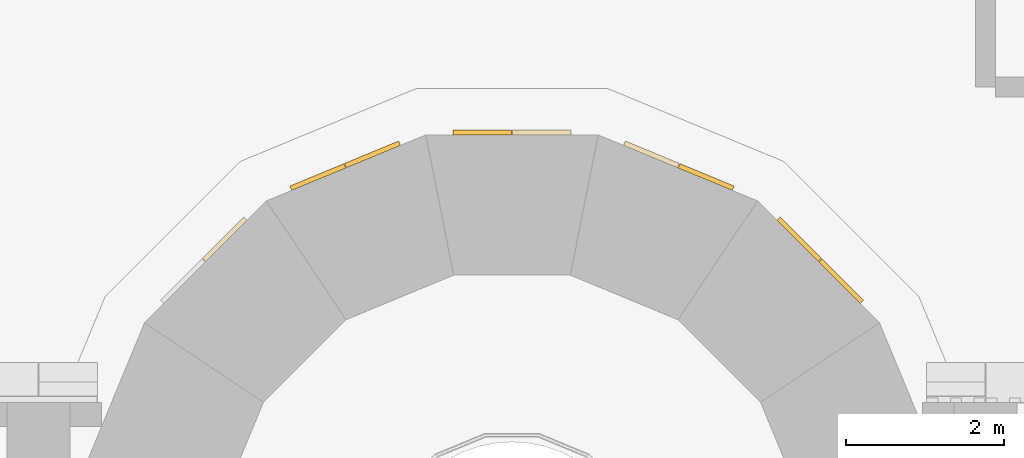
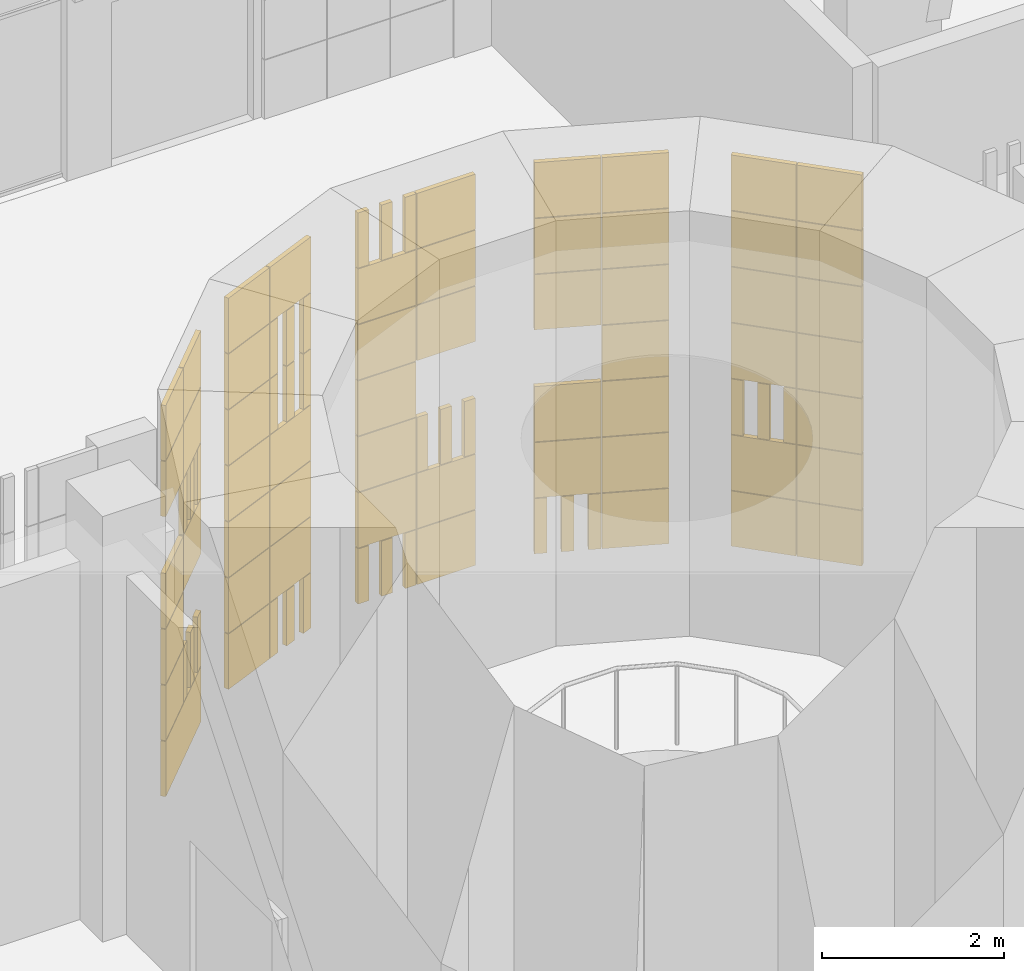
# One storey, part 76 of 125: 5 coverings.
"""IFC4 building model written with IfcOpenShell, lengths in metres."""

from ifc_helpers import new_model, si_unit, direction, frame, origin, origin_2d, place, context, subcontext, project, spatial, rectangle, extrude, material, layer, layer_set, type_object, element, save


model = new_model("IFC4")

# Units and contexts
model_context = context("Model", 3, precision=1e-05, world=origin(), true_north=direction((0.0, 1.0)))
body_context = subcontext(model_context, "Body", "Model", "MODEL_VIEW")
ifc_project = project(units=[si_unit("LENGTHUNIT", "METRE"), si_unit("AREAUNIT", "SQUARE_METRE"), si_unit("VOLUMEUNIT", "CUBIC_METRE"), si_unit("PLANEANGLEUNIT", "RADIAN"), si_unit("MASSUNIT", "GRAM", prefix="KILO")], contexts=[model_context])

# Site, building, storey
site_placement = place(None, origin())
site = spatial("IfcSite", under=ifc_project, at=site_placement, CompositionType="ELEMENT")
building_placement = place(site_placement, origin())
building = spatial("IfcBuilding", under=site, at=building_placement, Name="Sun Court Science Centre", CompositionType="ELEMENT")
storey_placement = place(building_placement, origin())
storey = spatial("IfcBuildingStorey", under=building, at=storey_placement, Name="L00", CompositionType="ELEMENT", Elevation=0.0)

# Coverings
ifc_material_1 = material(Name="Terracotta jali", Category="masonry")
ifc_layer_1 = layer(ifc_material_1, 0.06005859375)
ifc_layer_set_1 = layer_set([ifc_layer_1], Name="Terracotta jali")
covering_type_1 = type_object("IfcCoveringType", Name="Terracotta open jali panel", PredefinedType="CLADDING", material=ifc_layer_set_1)
covering_1_placement = place(storey_placement, origin())
element("IfcCovering", 1, at=covering_1_placement, inside=storey, type_object=covering_type_1, Name="Open jali pixel cladding cone 2 L00", PredefinedType="CLADDING", context=body_context, shape_type="SweptSolid", body=[
    extrude(rectangle(XDim=0.139892578125, YDim=0.06005859375, at=origin_2d()), frame((21.427734375, 30.2822265625, 1.5048828125), z_axis=(0.0, 0.0, 1.0), x_axis=(0.707106781187, -0.707106781187, 0.0)), (0.0, 0.0, 1.0), 0.739990234375),
    extrude(rectangle(XDim=0.139892578125, YDim=0.06005859375, at=origin_2d()), frame((21.6396484375, 30.070068359375, 1.5048828125), z_axis=(0.0, 0.0, 1.0), x_axis=(0.707106781187, -0.707106781187, 0.0)), (0.0, 0.0, 1.0), 0.739990234375),
    extrude(rectangle(XDim=0.139892578125, YDim=0.06005859375, at=origin_2d()), frame((21.851806640625, 29.85791015625, 1.5048828125), z_axis=(0.0, 0.0, 1.0), x_axis=(0.707106781187, -0.707106781187, 0.0)), (0.0, 0.0, 1.0), 0.739990234375),
    extrude(rectangle(XDim=0.139892578125, YDim=0.06005859375, at=origin_2d()), frame((19.48974609375, 31.26025390625, 0.0048828125), z_axis=(0.0, 0.0, 1.0), x_axis=(0.923879532511, -0.382683432365, 0.0)), (0.0, 0.0, 1.0), 0.739990234375),
    extrude(rectangle(XDim=0.139892578125, YDim=0.06005859375, at=origin_2d()), frame((19.766845703125, 31.1455078125, 0.0048828125), z_axis=(0.0, 0.0, 1.0), x_axis=(0.923879532511, -0.382683432365, 0.0)), (0.0, 0.0, 1.0), 0.739990234375),
    extrude(rectangle(XDim=0.139892578125, YDim=0.06005859375, at=origin_2d()), frame((20.0439453125, 31.03076171875, 0.0048828125), z_axis=(0.0, 0.0, 1.0), x_axis=(0.923879532511, -0.382683432365, 0.0)), (0.0, 0.0, 1.0), 0.739990234375),
    extrude(rectangle(XDim=0.139892578125, YDim=0.06005859375, at=origin_2d()), frame((17.324951171875, 31.42236328125, 0.0048828125), z_axis=(0.0, 0.0, 1.0), x_axis=(1.0, 0.0, 0.0)), (0.0, 0.0, 1.0), 0.739990234375),
    extrude(rectangle(XDim=0.139892578125, YDim=0.06005859375, at=origin_2d()), frame((17.625, 31.42236328125, 0.0048828125), z_axis=(0.0, 0.0, 1.0), x_axis=(1.0, 0.0, 0.0)), (0.0, 0.0, 1.0), 0.739990234375),
    extrude(rectangle(XDim=0.139892578125, YDim=0.06005859375, at=origin_2d()), frame((17.925048828125, 31.42236328125, 0.0048828125), z_axis=(0.0, 0.0, 1.0), x_axis=(1.0, 0.0, 0.0)), (0.0, 0.0, 1.0), 0.739990234375),
    extrude(rectangle(XDim=0.139892578125, YDim=0.06005859375, at=origin_2d()), frame((18.074951171875, 31.42236328125, 1.5048828125), z_axis=(0.0, 0.0, 1.0), x_axis=(1.0, 0.0, 0.0)), (0.0, 0.0, 1.0), 0.739990234375),
    extrude(rectangle(XDim=0.139892578125, YDim=0.06005859375, at=origin_2d()), frame((18.375, 31.42236328125, 1.5048828125), z_axis=(0.0, 0.0, 1.0), x_axis=(1.0, 0.0, 0.0)), (0.0, 0.0, 1.0), 0.739990234375),
    extrude(rectangle(XDim=0.139892578125, YDim=0.06005859375, at=origin_2d()), frame((18.675048828125, 31.42236328125, 1.5048828125), z_axis=(0.0, 0.0, 1.0), x_axis=(1.0, 0.0, 0.0)), (0.0, 0.0, 1.0), 0.739990234375),
    extrude(rectangle(XDim=0.139892578125, YDim=0.06005859375, at=origin_2d()), frame((17.324951171875, 31.42236328125, 4.5048828125), z_axis=(0.0, 0.0, 1.0), x_axis=(1.0, 0.0, 0.0)), (0.0, 0.0, 1.0), 0.739990234375),
    extrude(rectangle(XDim=0.139892578125, YDim=0.06005859375, at=origin_2d()), frame((17.625, 31.42236328125, 4.5048828125), z_axis=(0.0, 0.0, 1.0), x_axis=(1.0, 0.0, 0.0)), (0.0, 0.0, 1.0), 0.739990234375),
    extrude(rectangle(XDim=0.139892578125, YDim=0.06005859375, at=origin_2d()), frame((17.925048828125, 31.42236328125, 4.5048828125), z_axis=(0.0, 0.0, 1.0), x_axis=(1.0, 0.0, 0.0)), (0.0, 0.0, 1.0), 0.739990234375),
    extrude(rectangle(XDim=0.139892578125, YDim=0.06005859375, at=origin_2d()), frame((15.9560546875, 31.03076171875, 0.0048828125), z_axis=(0.0, 0.0, 1.0), x_axis=(0.923879532511, 0.382683432365, 0.0)), (0.0, 0.0, 1.0), 0.739990234375),
    extrude(rectangle(XDim=0.139892578125, YDim=0.06005859375, at=origin_2d()), frame((16.233154296875, 31.1455078125, 0.0048828125), z_axis=(0.0, 0.0, 1.0), x_axis=(0.923879532511, 0.382683432365, 0.0)), (0.0, 0.0, 1.0), 0.739990234375),
    extrude(rectangle(XDim=0.139892578125, YDim=0.06005859375, at=origin_2d()), frame((16.51025390625, 31.26025390625, 0.0048828125), z_axis=(0.0, 0.0, 1.0), x_axis=(0.923879532511, 0.382683432365, 0.0)), (0.0, 0.0, 1.0), 0.739990234375),
    extrude(rectangle(XDim=0.139892578125, YDim=0.06005859375, at=origin_2d()), frame((15.9560546875, 31.03076171875, 3.0048828125), z_axis=(0.0, 0.0, 1.0), x_axis=(0.923879532511, 0.382683432365, 0.0)), (0.0, 0.0, 1.0), 0.739990234375),
    extrude(rectangle(XDim=0.139892578125, YDim=0.06005859375, at=origin_2d()), frame((16.233154296875, 31.1455078125, 3.0048828125), z_axis=(0.0, 0.0, 1.0), x_axis=(0.923879532511, 0.382683432365, 0.0)), (0.0, 0.0, 1.0), 0.739990234375),
    extrude(rectangle(XDim=0.139892578125, YDim=0.06005859375, at=origin_2d()), frame((16.51025390625, 31.26025390625, 3.0048828125), z_axis=(0.0, 0.0, 1.0), x_axis=(0.923879532511, 0.382683432365, 0.0)), (0.0, 0.0, 1.0), 0.739990234375),
    extrude(rectangle(XDim=0.139892578125, YDim=0.06005859375, at=origin_2d()), frame((15.9560546875, 31.03076171875, 3.7548828125), z_axis=(0.0, 0.0, 1.0), x_axis=(0.923879532511, 0.382683432365, 0.0)), (0.0, 0.0, 1.0), 0.739990234375),
    extrude(rectangle(XDim=0.139892578125, YDim=0.06005859375, at=origin_2d()), frame((16.233154296875, 31.1455078125, 3.7548828125), z_axis=(0.0, 0.0, 1.0), x_axis=(0.923879532511, 0.382683432365, 0.0)), (0.0, 0.0, 1.0), 0.739990234375),
    extrude(rectangle(XDim=0.139892578125, YDim=0.06005859375, at=origin_2d()), frame((16.51025390625, 31.26025390625, 3.7548828125), z_axis=(0.0, 0.0, 1.0), x_axis=(0.923879532511, 0.382683432365, 0.0)), (0.0, 0.0, 1.0), 0.739990234375),
    extrude(rectangle(XDim=0.139892578125, YDim=0.06005859375, at=origin_2d()), frame((14.148193359375, 29.85791015625, 0.7548828125), z_axis=(0.0, 0.0, 1.0), x_axis=(0.707106781187, 0.707106781187, 0.0)), (0.0, 0.0, 1.0), 0.739990234375),
    extrude(rectangle(XDim=0.139892578125, YDim=0.06005859375, at=origin_2d()), frame((14.3603515625, 30.070068359375, 0.7548828125), z_axis=(0.0, 0.0, 1.0), x_axis=(0.707106781187, 0.707106781187, 0.0)), (0.0, 0.0, 1.0), 0.739990234375),
    extrude(rectangle(XDim=0.139892578125, YDim=0.06005859375, at=origin_2d()), frame((14.572265625, 30.2822265625, 0.7548828125), z_axis=(0.0, 0.0, 1.0), x_axis=(0.707106781187, 0.707106781187, 0.0)), (0.0, 0.0, 1.0), 0.739990234375),
    extrude(rectangle(XDim=0.139892578125, YDim=0.06005859375, at=origin_2d()), frame((14.148193359375, 29.85791015625, 3.0048828125), z_axis=(0.0, 0.0, 1.0), x_axis=(0.707106781187, 0.707106781187, 0.0)), (0.0, 0.0, 1.0), 0.739990234375),
    extrude(rectangle(XDim=0.139892578125, YDim=0.06005859375, at=origin_2d()), frame((14.3603515625, 30.070068359375, 3.0048828125), z_axis=(0.0, 0.0, 1.0), x_axis=(0.707106781187, 0.707106781187, 0.0)), (0.0, 0.0, 1.0), 0.739990234375),
    extrude(rectangle(XDim=0.139892578125, YDim=0.06005859375, at=origin_2d()), frame((14.572265625, 30.2822265625, 3.0048828125), z_axis=(0.0, 0.0, 1.0), x_axis=(0.707106781187, 0.707106781187, 0.0)), (0.0, 0.0, 1.0), 0.739990234375),
    extrude(rectangle(XDim=0.739990234375, YDim=0.06005859375, at=origin_2d()), frame((21.6396484375, 30.070068359375, 3.0048828125), z_axis=(0.0, 0.0, 1.0), x_axis=(0.707106781187, -0.707106781187, 0.0)), (0.0, 0.0, 1.0), 0.739990234375),
    extrude(rectangle(XDim=0.739990234375, YDim=0.06005859375, at=origin_2d()), frame((21.6396484375, 30.070068359375, 3.7548828125), z_axis=(0.0, 0.0, 1.0), x_axis=(0.707106781187, -0.707106781187, 0.0)), (0.0, 0.0, 1.0), 0.739990234375),
    extrude(rectangle(XDim=0.739990234375, YDim=0.06005859375, at=origin_2d()), frame((14.3603515625, 30.070068359375, 4.5048828125), z_axis=(0.0, 0.0, 1.0), x_axis=(0.707106781187, 0.707106781187, 0.0)), (0.0, 0.0, 1.0), 0.739990234375),
    extrude(rectangle(XDim=0.739990234375, YDim=0.06005859375, at=origin_2d()), frame((19.766845703125, 31.1455078125, 4.5048828125), z_axis=(0.0, 0.0, 1.0), x_axis=(0.923879532511, -0.382683432365, 0.0)), (0.0, 0.0, 1.0), 0.739990234375),
    extrude(rectangle(XDim=0.739990234375, YDim=0.06005859375, at=origin_2d()), frame((21.6396484375, 30.070068359375, 2.2548828125), z_axis=(0.0, 0.0, 1.0), x_axis=(0.707106781187, -0.707106781187, 0.0)), (0.0, 0.0, 1.0), 0.739990234375),
    extrude(rectangle(XDim=0.739990234375, YDim=0.06005859375, at=origin_2d()), frame((21.6396484375, 30.070068359375, 4.5048828125), z_axis=(0.0, 0.0, 1.0), x_axis=(0.707106781187, -0.707106781187, 0.0)), (0.0, 0.0, 1.0), 0.739990234375),
])
ifc_material_2 = material(Name="Terracotta shade 1", Category="masonry")
ifc_layer_2 = layer(ifc_material_2, 0.06005859375)
ifc_layer_set_2 = layer_set([ifc_layer_2], Name="Terracotta shade 1")
covering_type_2 = type_object("IfcCoveringType", Name="Terracotta pixel panel shade 1", PredefinedType="CLADDING", material=ifc_layer_set_2)
covering_2_placement = place(storey_placement, origin())
element("IfcCovering", 2, at=covering_2_placement, inside=storey, type_object=covering_type_2, Name="Terracotta pixel cladding shade 1 cone 2 L00", PredefinedType="CLADDING", context=body_context, shape_type="SweptSolid", body=[
    extrude(rectangle(XDim=0.739990234375, YDim=0.06005859375, at=origin_2d()), frame((22.170166015625, 29.539794921875, 1.5048828125), z_axis=(0.0, 0.0, 1.0), x_axis=(0.707106781187, -0.707106781187, 0.0)), (0.0, 0.0, 1.0), 0.739990234375),
    extrude(rectangle(XDim=0.739990234375, YDim=0.06005859375, at=origin_2d()), frame((22.170166015625, 29.539794921875, 3.0048828125), z_axis=(0.0, 0.0, 1.0), x_axis=(0.707106781187, -0.707106781187, 0.0)), (0.0, 0.0, 1.0), 0.739990234375),
    extrude(rectangle(XDim=0.739990234375, YDim=0.06005859375, at=origin_2d()), frame((22.170166015625, 29.539794921875, 3.7548828125), z_axis=(0.0, 0.0, 1.0), x_axis=(0.707106781187, -0.707106781187, 0.0)), (0.0, 0.0, 1.0), 0.739990234375),
    extrude(rectangle(XDim=0.739990234375, YDim=0.06005859375, at=origin_2d()), frame((22.170166015625, 29.539794921875, 4.5048828125), z_axis=(0.0, 0.0, 1.0), x_axis=(0.707106781187, -0.707106781187, 0.0)), (0.0, 0.0, 1.0), 0.739990234375),
    extrude(rectangle(XDim=0.739990234375, YDim=0.06005859375, at=origin_2d()), frame((20.459716796875, 30.858642578125, 0.0048828125), z_axis=(0.0, 0.0, 1.0), x_axis=(0.923879532511, -0.382683432365, 0.0)), (0.0, 0.0, 1.0), 0.739990234375),
    extrude(rectangle(XDim=0.739990234375, YDim=0.06005859375, at=origin_2d()), frame((19.766845703125, 31.1455078125, 0.7548828125), z_axis=(0.0, 0.0, 1.0), x_axis=(0.923879532511, -0.382683432365, 0.0)), (0.0, 0.0, 1.0), 0.739990234375),
    extrude(rectangle(XDim=0.739990234375, YDim=0.06005859375, at=origin_2d()), frame((20.459716796875, 30.858642578125, 2.2548828125), z_axis=(0.0, 0.0, 1.0), x_axis=(0.923879532511, -0.382683432365, 0.0)), (0.0, 0.0, 1.0), 0.739990234375),
    extrude(rectangle(XDim=0.739990234375, YDim=0.06005859375, at=origin_2d()), frame((20.459716796875, 30.858642578125, 3.0048828125), z_axis=(0.0, 0.0, 1.0), x_axis=(0.923879532511, -0.382683432365, 0.0)), (0.0, 0.0, 1.0), 0.739990234375),
    extrude(rectangle(XDim=0.739990234375, YDim=0.06005859375, at=origin_2d()), frame((19.766845703125, 31.1455078125, 3.7548828125), z_axis=(0.0, 0.0, 1.0), x_axis=(0.923879532511, -0.382683432365, 0.0)), (0.0, 0.0, 1.0), 0.739990234375),
    extrude(rectangle(XDim=0.739990234375, YDim=0.06005859375, at=origin_2d()), frame((18.375, 31.42236328125, 0.0048828125), z_axis=(0.0, 0.0, 1.0), x_axis=(1.0, 0.0, 0.0)), (0.0, 0.0, 1.0), 0.739990234375),
    extrude(rectangle(XDim=0.739990234375, YDim=0.06005859375, at=origin_2d()), frame((17.625, 31.42236328125, 2.2548828125), z_axis=(0.0, 0.0, 1.0), x_axis=(1.0, 0.0, 0.0)), (0.0, 0.0, 1.0), 0.739990234375),
    extrude(rectangle(XDim=0.739990234375, YDim=0.06005859375, at=origin_2d()), frame((18.375, 31.42236328125, 3.0048828125), z_axis=(0.0, 0.0, 1.0), x_axis=(1.0, 0.0, 0.0)), (0.0, 0.0, 1.0), 0.739990234375),
    extrude(rectangle(XDim=0.739990234375, YDim=0.06005859375, at=origin_2d()), frame((18.375, 31.42236328125, 4.5048828125), z_axis=(0.0, 0.0, 1.0), x_axis=(1.0, 0.0, 0.0)), (0.0, 0.0, 1.0), 0.739990234375),
    extrude(rectangle(XDim=0.739990234375, YDim=0.06005859375, at=origin_2d()), frame((15.540283203125, 30.858642578125, 2.2548828125), z_axis=(0.0, 0.0, 1.0), x_axis=(0.923879532511, 0.382683432365, 0.0)), (0.0, 0.0, 1.0), 0.739990234375),
    extrude(rectangle(XDim=0.739990234375, YDim=0.06005859375, at=origin_2d()), frame((15.540283203125, 30.858642578125, 3.0048828125), z_axis=(0.0, 0.0, 1.0), x_axis=(0.923879532511, 0.382683432365, 0.0)), (0.0, 0.0, 1.0), 0.739990234375),
    extrude(rectangle(XDim=0.739990234375, YDim=0.06005859375, at=origin_2d()), frame((15.540283203125, 30.858642578125, 3.7548828125), z_axis=(0.0, 0.0, 1.0), x_axis=(0.923879532511, 0.382683432365, 0.0)), (0.0, 0.0, 1.0), 0.739990234375),
    extrude(rectangle(XDim=0.739990234375, YDim=0.06005859375, at=origin_2d()), frame((14.3603515625, 30.070068359375, 0.0048828125), z_axis=(0.0, 0.0, 1.0), x_axis=(0.707106781187, 0.707106781187, 0.0)), (0.0, 0.0, 1.0), 0.739990234375),
    extrude(rectangle(XDim=0.739990234375, YDim=0.06005859375, at=origin_2d()), frame((13.829833984375, 29.539794921875, 4.5048828125), z_axis=(0.0, 0.0, 1.0), x_axis=(0.707106781187, 0.707106781187, 0.0)), (0.0, 0.0, 1.0), 0.739990234375),
    extrude(rectangle(XDim=0.739990234375, YDim=0.06005859375, at=origin_2d()), frame((13.829833984375, 29.539794921875, 0.7548828125), z_axis=(0.0, 0.0, 1.0), x_axis=(0.707106781187, 0.707106781187, 0.0)), (0.0, 0.0, 1.0), 0.739990234375),
    extrude(rectangle(XDim=0.739990234375, YDim=0.06005859375, at=origin_2d()), frame((13.829833984375, 29.539794921875, 3.7548828125), z_axis=(0.0, 0.0, 1.0), x_axis=(0.707106781187, 0.707106781187, 0.0)), (0.0, 0.0, 1.0), 0.739990234375),
    extrude(rectangle(XDim=0.739990234375, YDim=0.06005859375, at=origin_2d()), frame((22.170166015625, 29.539794921875, 0.0048828125), z_axis=(0.0, 0.0, 1.0), x_axis=(0.707106781187, -0.707106781187, 0.0)), (0.0, 0.0, 1.0), 0.739990234375),
    extrude(rectangle(XDim=0.739990234375, YDim=0.06005859375, at=origin_2d()), frame((13.829833984375, 29.539794921875, 2.2548828125), z_axis=(0.0, 0.0, 1.0), x_axis=(0.707106781187, 0.707106781187, 0.0)), (0.0, 0.0, 1.0), 0.739990234375),
    extrude(rectangle(XDim=0.739990234375, YDim=0.06005859375, at=origin_2d()), frame((22.170166015625, 29.539794921875, 2.2548828125), z_axis=(0.0, 0.0, 1.0), x_axis=(0.707106781187, -0.707106781187, 0.0)), (0.0, 0.0, 1.0), 0.739990234375),
    extrude(rectangle(XDim=0.739990234375, YDim=0.06005859375, at=origin_2d()), frame((13.829833984375, 29.539794921875, 0.0048828125), z_axis=(0.0, 0.0, 1.0), x_axis=(0.707106781187, 0.707106781187, 0.0)), (0.0, 0.0, 1.0), 0.739990234375),
    extrude(rectangle(XDim=0.739990234375, YDim=0.06005859375, at=origin_2d()), frame((13.829833984375, 29.539794921875, 1.5048828125), z_axis=(0.0, 0.0, 1.0), x_axis=(0.707106781187, 0.707106781187, 0.0)), (0.0, 0.0, 1.0), 0.739990234375),
    extrude(rectangle(XDim=0.739990234375, YDim=0.06005859375, at=origin_2d()), frame((22.170166015625, 29.539794921875, 0.7548828125), z_axis=(0.0, 0.0, 1.0), x_axis=(0.707106781187, -0.707106781187, 0.0)), (0.0, 0.0, 1.0), 0.739990234375),
])
ifc_material_3 = material(Name="Terracotta shade 2", Category="masonry")
ifc_layer_3 = layer(ifc_material_3, 0.06005859375)
ifc_layer_set_3 = layer_set([ifc_layer_3], Name="Terracotta shade 2")
covering_type_3 = type_object("IfcCoveringType", Name="Terracotta pixel panel shade 2", PredefinedType="CLADDING", material=ifc_layer_set_3)
covering_3_placement = place(storey_placement, origin())
element("IfcCovering", 3, at=covering_3_placement, inside=storey, type_object=covering_type_3, Name="Terracotta pixel cladding shade 2 cone 2 L00", PredefinedType="CLADDING", context=body_context, shape_type="SweptSolid", body=[
    extrude(rectangle(XDim=0.739990234375, YDim=0.06005859375, at=origin_2d()), frame((20.459716796875, 30.858642578125, 1.5048828125), z_axis=(0.0, 0.0, 1.0), x_axis=(0.923879532511, -0.382683432365, 0.0)), (0.0, 0.0, 1.0), 0.739990234375),
    extrude(rectangle(XDim=0.739990234375, YDim=0.06005859375, at=origin_2d()), frame((19.766845703125, 31.1455078125, 3.0048828125), z_axis=(0.0, 0.0, 1.0), x_axis=(0.923879532511, -0.382683432365, 0.0)), (0.0, 0.0, 1.0), 0.739990234375),
    extrude(rectangle(XDim=0.739990234375, YDim=0.06005859375, at=origin_2d()), frame((17.625, 31.42236328125, 0.7548828125), z_axis=(0.0, 0.0, 1.0), x_axis=(1.0, 0.0, 0.0)), (0.0, 0.0, 1.0), 0.739990234375),
    extrude(rectangle(XDim=0.739990234375, YDim=0.06005859375, at=origin_2d()), frame((18.375, 31.42236328125, 0.7548828125), z_axis=(0.0, 0.0, 1.0), x_axis=(1.0, 0.0, 0.0)), (0.0, 0.0, 1.0), 0.739990234375),
    extrude(rectangle(XDim=0.739990234375, YDim=0.06005859375, at=origin_2d()), frame((16.233154296875, 31.1455078125, 0.7548828125), z_axis=(0.0, 0.0, 1.0), x_axis=(0.923879532511, 0.382683432365, 0.0)), (0.0, 0.0, 1.0), 0.739990234375),
    extrude(rectangle(XDim=0.739990234375, YDim=0.06005859375, at=origin_2d()), frame((16.233154296875, 31.1455078125, 1.5048828125), z_axis=(0.0, 0.0, 1.0), x_axis=(0.923879532511, 0.382683432365, 0.0)), (0.0, 0.0, 1.0), 0.739990234375),
    extrude(rectangle(XDim=0.739990234375, YDim=0.06005859375, at=origin_2d()), frame((16.233154296875, 31.1455078125, 4.5048828125), z_axis=(0.0, 0.0, 1.0), x_axis=(0.923879532511, 0.382683432365, 0.0)), (0.0, 0.0, 1.0), 0.739990234375),
    extrude(rectangle(XDim=0.739990234375, YDim=0.06005859375, at=origin_2d()), frame((14.3603515625, 30.070068359375, 2.2548828125), z_axis=(0.0, 0.0, 1.0), x_axis=(0.707106781187, 0.707106781187, 0.0)), (0.0, 0.0, 1.0), 0.739990234375),
    extrude(rectangle(XDim=0.739990234375, YDim=0.06005859375, at=origin_2d()), frame((14.3603515625, 30.070068359375, 3.7548828125), z_axis=(0.0, 0.0, 1.0), x_axis=(0.707106781187, 0.707106781187, 0.0)), (0.0, 0.0, 1.0), 0.739990234375),
    extrude(rectangle(XDim=0.739990234375, YDim=0.06005859375, at=origin_2d()), frame((20.459716796875, 30.858642578125, 4.5048828125), z_axis=(0.0, 0.0, 1.0), x_axis=(0.923879532511, -0.382683432365, 0.0)), (0.0, 0.0, 1.0), 0.739990234375),
])
ifc_material_4 = material(Name="Terracotta shade 3", Category="masonry")
ifc_layer_4 = layer(ifc_material_4, 0.06005859375)
ifc_layer_set_4 = layer_set([ifc_layer_4], Name="Terracotta shade 3")
covering_type_4 = type_object("IfcCoveringType", Name="Terracotta pixel panel shade 3", PredefinedType="CLADDING", material=ifc_layer_set_4)
covering_4_placement = place(storey_placement, origin())
element("IfcCovering", 4, at=covering_4_placement, inside=storey, type_object=covering_type_4, Name="Terracotta pixel cladding shade 3 cone 2 L00", PredefinedType="CLADDING", context=body_context, shape_type="SweptSolid", body=[
    extrude(rectangle(XDim=0.739990234375, YDim=0.06005859375, at=origin_2d()), frame((21.6396484375, 30.070068359375, 0.0048828125), z_axis=(0.0, 0.0, 1.0), x_axis=(0.707106781187, -0.707106781187, 0.0)), (0.0, 0.0, 1.0), 0.739990234375),
    extrude(rectangle(XDim=0.739990234375, YDim=0.06005859375, at=origin_2d()), frame((21.6396484375, 30.070068359375, 0.7548828125), z_axis=(0.0, 0.0, 1.0), x_axis=(0.707106781187, -0.707106781187, 0.0)), (0.0, 0.0, 1.0), 0.739990234375),
    extrude(rectangle(XDim=0.739990234375, YDim=0.06005859375, at=origin_2d()), frame((20.459716796875, 30.858642578125, 0.7548828125), z_axis=(0.0, 0.0, 1.0), x_axis=(0.923879532511, -0.382683432365, 0.0)), (0.0, 0.0, 1.0), 0.739990234375),
    extrude(rectangle(XDim=0.739990234375, YDim=0.06005859375, at=origin_2d()), frame((19.766845703125, 31.1455078125, 1.5048828125), z_axis=(0.0, 0.0, 1.0), x_axis=(0.923879532511, -0.382683432365, 0.0)), (0.0, 0.0, 1.0), 0.739990234375),
    extrude(rectangle(XDim=0.739990234375, YDim=0.06005859375, at=origin_2d()), frame((20.459716796875, 30.858642578125, 3.7548828125), z_axis=(0.0, 0.0, 1.0), x_axis=(0.923879532511, -0.382683432365, 0.0)), (0.0, 0.0, 1.0), 0.739990234375),
    extrude(rectangle(XDim=0.739990234375, YDim=0.06005859375, at=origin_2d()), frame((17.625, 31.42236328125, 1.5048828125), z_axis=(0.0, 0.0, 1.0), x_axis=(1.0, 0.0, 0.0)), (0.0, 0.0, 1.0), 0.739990234375),
    extrude(rectangle(XDim=0.739990234375, YDim=0.06005859375, at=origin_2d()), frame((17.625, 31.42236328125, 3.0048828125), z_axis=(0.0, 0.0, 1.0), x_axis=(1.0, 0.0, 0.0)), (0.0, 0.0, 1.0), 0.739990234375),
    extrude(rectangle(XDim=0.739990234375, YDim=0.06005859375, at=origin_2d()), frame((18.375, 31.42236328125, 3.7548828125), z_axis=(0.0, 0.0, 1.0), x_axis=(1.0, 0.0, 0.0)), (0.0, 0.0, 1.0), 0.739990234375),
])
ifc_material_5 = material(Name="Terracotta shade 4", Category="masonry")
ifc_layer_5 = layer(ifc_material_5, 0.06005859375)
ifc_layer_set_5 = layer_set([ifc_layer_5], Name="Terracotta shade 4")
covering_type_5 = type_object("IfcCoveringType", Name="Terracotta pixel panel shade 4", PredefinedType="CLADDING", material=ifc_layer_set_5)
covering_5_placement = place(storey_placement, origin())
element("IfcCovering", 5, at=covering_5_placement, inside=storey, type_object=covering_type_5, Name="Terracotta pixel cladding shade 4 cone 2 L00", PredefinedType="CLADDING", context=body_context, shape_type="SweptSolid", body=[
    extrude(rectangle(XDim=0.739990234375, YDim=0.06005859375, at=origin_2d()), frame((17.625, 31.42236328125, 3.7548828125), z_axis=(0.0, 0.0, 1.0), x_axis=(1.0, 0.0, 0.0)), (0.0, 0.0, 1.0), 0.739990234375),
    extrude(rectangle(XDim=0.739990234375, YDim=0.06005859375, at=origin_2d()), frame((15.540283203125, 30.858642578125, 0.0048828125), z_axis=(0.0, 0.0, 1.0), x_axis=(0.923879532511, 0.382683432365, 0.0)), (0.0, 0.0, 1.0), 0.739990234375),
    extrude(rectangle(XDim=0.739990234375, YDim=0.06005859375, at=origin_2d()), frame((15.540283203125, 30.858642578125, 0.7548828125), z_axis=(0.0, 0.0, 1.0), x_axis=(0.923879532511, 0.382683432365, 0.0)), (0.0, 0.0, 1.0), 0.739990234375),
    extrude(rectangle(XDim=0.739990234375, YDim=0.06005859375, at=origin_2d()), frame((15.540283203125, 30.858642578125, 1.5048828125), z_axis=(0.0, 0.0, 1.0), x_axis=(0.923879532511, 0.382683432365, 0.0)), (0.0, 0.0, 1.0), 0.739990234375),
    extrude(rectangle(XDim=0.739990234375, YDim=0.06005859375, at=origin_2d()), frame((16.233154296875, 31.1455078125, 2.2548828125), z_axis=(0.0, 0.0, 1.0), x_axis=(0.923879532511, 0.382683432365, 0.0)), (0.0, 0.0, 1.0), 0.739990234375),
    extrude(rectangle(XDim=0.739990234375, YDim=0.06005859375, at=origin_2d()), frame((15.540283203125, 30.858642578125, 4.5048828125), z_axis=(0.0, 0.0, 1.0), x_axis=(0.923879532511, 0.382683432365, 0.0)), (0.0, 0.0, 1.0), 0.739990234375),
])

save(model, "model.ifc")
